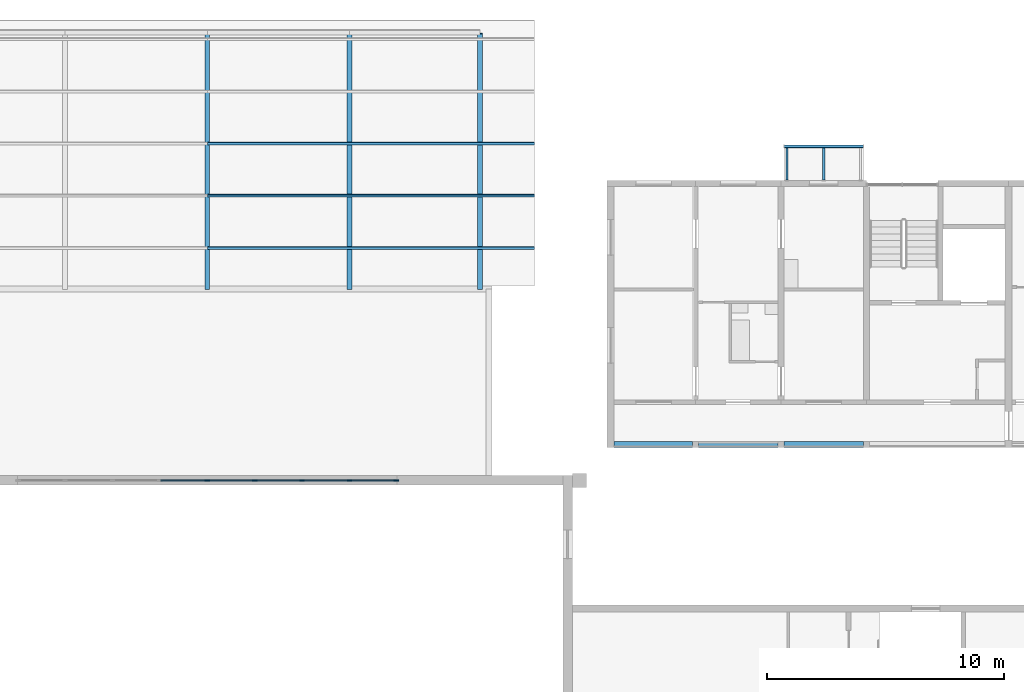
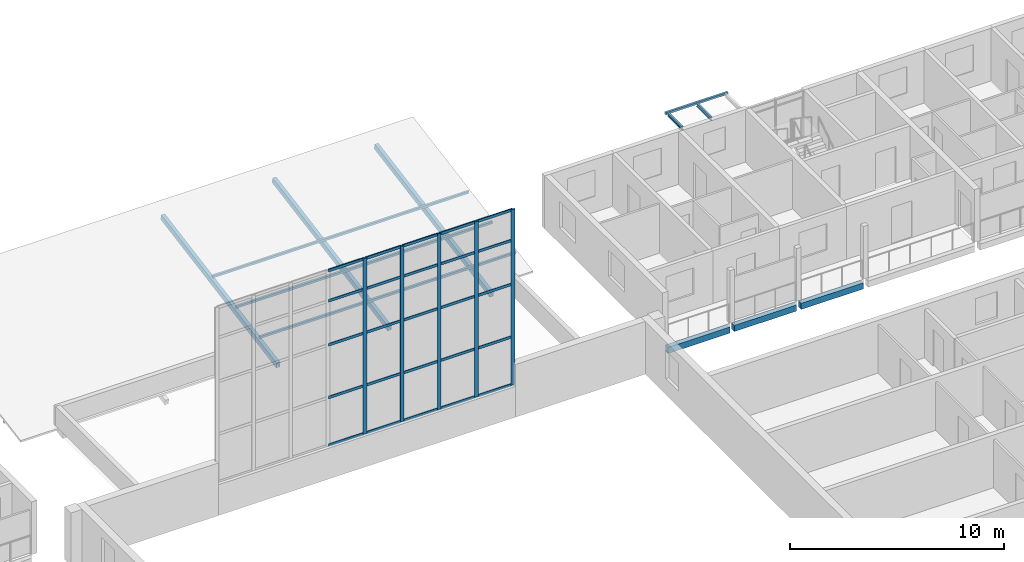
# One storey, part 34 of 122: 33 members, 9 beams, 1 element without a shape of its own.
"""IFC4 building model written with IfcOpenShell, lengths in metres."""

from ifc_helpers import new_model, si_unit, direction, frame, origin, origin_2d, place, context, subcontext, project, spatial, rectangle, hollow_rectangle, i_section, extrude, material, layer, layer_set, material_profile, profile_set, type_object, element, aggregate, save


model = new_model("IFC4")

# Units and contexts
model_context = context("Model", 3, precision=1e-05, world=origin(), true_north=direction((0.0, 1.0)))
body_context = subcontext(model_context, "Body", "Model", "MODEL_VIEW")
ifc_project = project(units=[si_unit("LENGTHUNIT", "METRE"), si_unit("AREAUNIT", "SQUARE_METRE"), si_unit("VOLUMEUNIT", "CUBIC_METRE"), si_unit("PLANEANGLEUNIT", "RADIAN"), si_unit("MASSUNIT", "GRAM", prefix="KILO")], contexts=[model_context])

# Site, building, storey
site_placement = place(None, origin())
site = spatial("IfcSite", under=ifc_project, at=site_placement, CompositionType="ELEMENT")
building_placement = place(site_placement, origin())
building = spatial("IfcBuilding", under=site, at=building_placement, Name="Ridgestep Commons", CompositionType="ELEMENT")
storey_placement = place(building_placement, frame((0.0, 0.0, 3.0)))
storey = spatial("IfcBuildingStorey", under=building, at=storey_placement, Name="L01", CompositionType="ELEMENT", Elevation=3.0)

# Beams
ifc_material_1 = material(Name="Structural steel S355JR", Category="steel")
ifc_material_profile_1 = material_profile(ifc_material_1, hollow_rectangle(XDim=0.199951171875, YDim=0.300048828125, WallThickness=0.010009765625, at=origin_2d()), Name="RHS 300x200x10")
ifc_profile_set_1 = profile_set([ifc_material_profile_1], Name="Structural steel S355JR")
beam_type_1 = type_object("IfcBeamType", Name="Canopy beam RHS 300 x 200 x 10", PredefinedType="BEAM", material=ifc_profile_set_1)
for number, where, z_axis, x_axis, name in (
    (1, (129.800048828125, 72.672607421875, 0.75244140625), (0.0, 0.98442302805, 0.175816102349), (-1.0, 0.0, 0.0), "Canopy main beam"),
    (2, (135.800048828125, 72.672607421875, 0.75244140625), (0.0, 0.98442302805, 0.175816102349), (-1.0, 0.0, 0.0), "Canopy main beam"),
    (3, (141.300048828125, 72.672607421875, 0.75244140625), (0.0, 0.98442302805, 0.175816102349), (-1.0, 0.0, 0.0), "Canopy main beam"),
):
    element("IfcBeam", number, at=place(storey_placement, frame(where, z_axis=z_axis, x_axis=x_axis)), inside=storey, type_object=beam_type_1, Name=name, PredefinedType="BEAM", context=body_context, shape_type="SweptSolid", body=[
        extrude(hollow_rectangle(XDim=0.199951171875, YDim=0.300048828125, WallThickness=0.010009765625, at=origin_2d()), origin(), (0.0, 0.0, 1.0), 10.95068359375),
    ])

# Members
ifc_material_2 = material(Name="Structural steel S355JR", Category="steel")
ifc_material_profile_2 = material_profile(ifc_material_2, hollow_rectangle(XDim=0.10009765625, YDim=0.14990234375, WallThickness=0.006103515625, at=origin_2d()), Name="RHS 150x100x6")
ifc_profile_set_2 = profile_set([ifc_material_profile_2], Name="Structural steel S355JR")
member_type_1 = type_object("IfcMemberType", Name="Canopy purlin RHS 150 x 100 x 6", PredefinedType="PURLIN", material=ifc_profile_set_2)
for number, where, z_axis, x_axis, name in (
    (4, (129.800048828125, 74.4130859375, 1.2919921875), (1.0, 0.0, 0.0), (0.0, 0.984422707775, 0.175817895609), "Canopy purlin"),
    (5, (129.800048828125, 76.61328125, 1.684814453125), (1.0, 0.0, 0.0), (0.0, 0.984422707775, 0.175817895609), "Canopy purlin"),
    (6, (129.800048828125, 78.813232421875, 2.077880859375), (1.0, 0.0, 0.0), (0.0, 0.984422707775, 0.175817895609), "Canopy purlin"),
):
    element("IfcMember", number, at=place(storey_placement, frame(where, z_axis=z_axis, x_axis=x_axis)), inside=storey, type_object=member_type_1, Name=name, PredefinedType="PURLIN", context=body_context, shape_type="SweptSolid", body=[
        extrude(hollow_rectangle(XDim=0.10009765625, YDim=0.14990234375, WallThickness=0.006103515625, at=origin_2d()), origin(), (0.0, 0.0, 1.0), 13.800048828125),
    ])

# Curtain wall, members
ifc_material_3 = material(Name="Aluminium and glass", Category="aluminium")
ifc_layer = layer(ifc_material_3, 0.199951171875)
ifc_layer_set = layer_set([ifc_layer], Name="Hall gable curtain wall")
curtain_wall_type = type_object("IfcCurtainWallType", Name="Hall gable curtain wall", PredefinedType="NOTDEFINED", material=ifc_layer_set)
curtain_wall_placement = place(storey_placement, origin())
curtain_wall = element("IfcCurtainWall", 7, at=curtain_wall_placement, inside=storey, type_object=curtain_wall_type, Name="Hall gable curtain wall", PredefinedType="NOTDEFINED")
ifc_material_4 = material(Name="Aluminium", Category="aluminium")
ifc_material_profile_3 = material_profile(ifc_material_4, rectangle(XDim=0.06005859375, YDim=0.199951171875, at=origin_2d()), Name="Hall mullion 60 x 200")
ifc_profile_set_3 = profile_set([ifc_material_profile_3], Name="Aluminium")
member_type_2 = type_object("IfcMemberType", Name="Hall mullion 60 x 200", PredefinedType="MULLION", material=ifc_profile_set_3)
member_1_placement = place(storey_placement, frame((129.800048828125, 64.60009765625, 1.75), z_axis=(0.0, 0.0, 1.0), x_axis=(0.0, 1.0, 0.0)))
member_1 = element("IfcMember", 8, at=member_1_placement, type_object=member_type_2, Name="CW4 mullion 5", PredefinedType="MULLION", context=body_context, shape_type="SweptSolid", body=[
    extrude(rectangle(XDim=0.06005859375, YDim=0.199951171875, at=origin_2d()), origin(), (0.0, 0.0, 1.0), 10.0),
])
member_2_placement = place(storey_placement, frame((131.800048828125, 64.60009765625, 1.75), z_axis=(0.0, 0.0, 1.0), x_axis=(0.0, 1.0, 0.0)))
member_2 = element("IfcMember", 9, at=member_2_placement, type_object=member_type_2, Name="CW4 mullion 6", PredefinedType="MULLION", context=body_context, shape_type="SweptSolid", body=[
    extrude(rectangle(XDim=0.06005859375, YDim=0.199951171875, at=origin_2d()), origin(), (0.0, 0.0, 1.0), 10.0),
])
member_3_placement = place(storey_placement, frame((133.800048828125, 64.60009765625, 1.75), z_axis=(0.0, 0.0, 1.0), x_axis=(0.0, 1.0, 0.0)))
member_3 = element("IfcMember", 10, at=member_3_placement, type_object=member_type_2, Name="CW4 mullion 7", PredefinedType="MULLION", context=body_context, shape_type="SweptSolid", body=[
    extrude(rectangle(XDim=0.06005859375, YDim=0.199951171875, at=origin_2d()), origin(), (0.0, 0.0, 1.0), 10.0),
])
member_4_placement = place(storey_placement, frame((135.800048828125, 64.60009765625, 1.75), z_axis=(0.0, 0.0, 1.0), x_axis=(0.0, 1.0, 0.0)))
member_4 = element("IfcMember", 11, at=member_4_placement, type_object=member_type_2, Name="CW4 mullion 8", PredefinedType="MULLION", context=body_context, shape_type="SweptSolid", body=[
    extrude(rectangle(XDim=0.06005859375, YDim=0.199951171875, at=origin_2d()), origin(), (0.0, 0.0, 1.0), 10.0),
])
member_5_placement = place(storey_placement, frame((137.77001953125, 64.60009765625, 1.75), z_axis=(0.0, 0.0, 1.0), x_axis=(0.0, 1.0, 0.0)))
member_5 = element("IfcMember", 12, at=member_5_placement, type_object=member_type_2, Name="CW4 mullion 9", PredefinedType="MULLION", context=body_context, shape_type="SweptSolid", body=[
    extrude(rectangle(XDim=0.06005859375, YDim=0.199951171875, at=origin_2d()), origin(), (0.0, 0.0, 1.0), 10.0),
])
ifc_material_5 = material(Name="Aluminium", Category="aluminium")
ifc_material_profile_4 = material_profile(ifc_material_5, rectangle(XDim=0.06005859375, YDim=0.14990234375, at=origin_2d()), Name="Hall transom 60 x 150")
ifc_profile_set_4 = profile_set([ifc_material_profile_4], Name="Aluminium")
member_type_3 = type_object("IfcMemberType", Name="Hall transom 60 x 150", PredefinedType="USERDEFINED", material=ifc_profile_set_4)
member_6_placement = place(storey_placement, frame((127.830078125, 64.60009765625, 1.780029296875), z_axis=(1.0, 0.0, 0.0), x_axis=(0.0, 1.0, 0.0)))
member_6 = element("IfcMember", 13, at=member_6_placement, type_object=member_type_3, Name="CW4 transom 4.1", ObjectType="TRANSOM", PredefinedType="USERDEFINED", context=body_context, shape_type="SweptSolid", body=[
    extrude(rectangle(XDim=0.06005859375, YDim=0.14990234375, at=origin_2d()), origin(), (0.0, 0.0, 1.0), 1.93994140625),
])
member_7_placement = place(storey_placement, frame((127.830078125, 64.60009765625, 4.5), z_axis=(1.0, 0.0, 0.0), x_axis=(0.0, 1.0, 0.0)))
member_7 = element("IfcMember", 14, at=member_7_placement, type_object=member_type_3, Name="CW4 transom 4.2", ObjectType="TRANSOM", PredefinedType="USERDEFINED", context=body_context, shape_type="SweptSolid", body=[
    extrude(rectangle(XDim=0.06005859375, YDim=0.14990234375, at=origin_2d()), origin(), (0.0, 0.0, 1.0), 1.93994140625),
])
member_8_placement = place(storey_placement, frame((127.830078125, 64.60009765625, 7.5), z_axis=(1.0, 0.0, 0.0), x_axis=(0.0, 1.0, 0.0)))
member_8 = element("IfcMember", 15, at=member_8_placement, type_object=member_type_3, Name="CW4 transom 4.3", ObjectType="TRANSOM", PredefinedType="USERDEFINED", context=body_context, shape_type="SweptSolid", body=[
    extrude(rectangle(XDim=0.06005859375, YDim=0.14990234375, at=origin_2d()), origin(), (0.0, 0.0, 1.0), 1.93994140625),
])
member_9_placement = place(storey_placement, frame((127.830078125, 64.60009765625, 10.0), z_axis=(1.0, 0.0, 0.0), x_axis=(0.0, 1.0, 0.0)))
member_9 = element("IfcMember", 16, at=member_9_placement, type_object=member_type_3, Name="CW4 transom 4.4", ObjectType="TRANSOM", PredefinedType="USERDEFINED", context=body_context, shape_type="SweptSolid", body=[
    extrude(rectangle(XDim=0.06005859375, YDim=0.14990234375, at=origin_2d()), origin(), (0.0, 0.0, 1.0), 1.93994140625),
])
member_10_placement = place(storey_placement, frame((127.830078125, 64.60009765625, 11.719970703125), z_axis=(1.0, 0.0, 0.0), x_axis=(0.0, 1.0, 0.0)))
member_10 = element("IfcMember", 17, at=member_10_placement, type_object=member_type_3, Name="CW4 transom 4.5", ObjectType="TRANSOM", PredefinedType="USERDEFINED", context=body_context, shape_type="SweptSolid", body=[
    extrude(rectangle(XDim=0.06005859375, YDim=0.14990234375, at=origin_2d()), origin(), (0.0, 0.0, 1.0), 1.93994140625),
])
member_11_placement = place(storey_placement, frame((129.830078125, 64.60009765625, 1.780029296875), z_axis=(1.0, 0.0, 0.0), x_axis=(0.0, 1.0, 0.0)))
member_11 = element("IfcMember", 18, at=member_11_placement, type_object=member_type_3, Name="CW4 transom 5.1", ObjectType="TRANSOM", PredefinedType="USERDEFINED", context=body_context, shape_type="SweptSolid", body=[
    extrude(rectangle(XDim=0.06005859375, YDim=0.14990234375, at=origin_2d()), origin(), (0.0, 0.0, 1.0), 1.93994140625),
])
member_12_placement = place(storey_placement, frame((129.830078125, 64.60009765625, 4.5), z_axis=(1.0, 0.0, 0.0), x_axis=(0.0, 1.0, 0.0)))
member_12 = element("IfcMember", 19, at=member_12_placement, type_object=member_type_3, Name="CW4 transom 5.2", ObjectType="TRANSOM", PredefinedType="USERDEFINED", context=body_context, shape_type="SweptSolid", body=[
    extrude(rectangle(XDim=0.06005859375, YDim=0.14990234375, at=origin_2d()), origin(), (0.0, 0.0, 1.0), 1.93994140625),
])
member_13_placement = place(storey_placement, frame((129.830078125, 64.60009765625, 7.5), z_axis=(1.0, 0.0, 0.0), x_axis=(0.0, 1.0, 0.0)))
member_13 = element("IfcMember", 20, at=member_13_placement, type_object=member_type_3, Name="CW4 transom 5.3", ObjectType="TRANSOM", PredefinedType="USERDEFINED", context=body_context, shape_type="SweptSolid", body=[
    extrude(rectangle(XDim=0.06005859375, YDim=0.14990234375, at=origin_2d()), origin(), (0.0, 0.0, 1.0), 1.93994140625),
])
member_14_placement = place(storey_placement, frame((129.830078125, 64.60009765625, 10.0), z_axis=(1.0, 0.0, 0.0), x_axis=(0.0, 1.0, 0.0)))
member_14 = element("IfcMember", 21, at=member_14_placement, type_object=member_type_3, Name="CW4 transom 5.4", ObjectType="TRANSOM", PredefinedType="USERDEFINED", context=body_context, shape_type="SweptSolid", body=[
    extrude(rectangle(XDim=0.06005859375, YDim=0.14990234375, at=origin_2d()), origin(), (0.0, 0.0, 1.0), 1.93994140625),
])
member_15_placement = place(storey_placement, frame((129.830078125, 64.60009765625, 11.719970703125), z_axis=(1.0, 0.0, 0.0), x_axis=(0.0, 1.0, 0.0)))
member_15 = element("IfcMember", 22, at=member_15_placement, type_object=member_type_3, Name="CW4 transom 5.5", ObjectType="TRANSOM", PredefinedType="USERDEFINED", context=body_context, shape_type="SweptSolid", body=[
    extrude(rectangle(XDim=0.06005859375, YDim=0.14990234375, at=origin_2d()), origin(), (0.0, 0.0, 1.0), 1.93994140625),
])
member_16_placement = place(storey_placement, frame((131.830078125, 64.60009765625, 1.780029296875), z_axis=(1.0, 0.0, 0.0), x_axis=(0.0, 1.0, 0.0)))
member_16 = element("IfcMember", 23, at=member_16_placement, type_object=member_type_3, Name="CW4 transom 6.1", ObjectType="TRANSOM", PredefinedType="USERDEFINED", context=body_context, shape_type="SweptSolid", body=[
    extrude(rectangle(XDim=0.06005859375, YDim=0.14990234375, at=origin_2d()), origin(), (0.0, 0.0, 1.0), 1.93994140625),
])
member_17_placement = place(storey_placement, frame((131.830078125, 64.60009765625, 4.5), z_axis=(1.0, 0.0, 0.0), x_axis=(0.0, 1.0, 0.0)))
member_17 = element("IfcMember", 24, at=member_17_placement, type_object=member_type_3, Name="CW4 transom 6.2", ObjectType="TRANSOM", PredefinedType="USERDEFINED", context=body_context, shape_type="SweptSolid", body=[
    extrude(rectangle(XDim=0.06005859375, YDim=0.14990234375, at=origin_2d()), origin(), (0.0, 0.0, 1.0), 1.93994140625),
])
member_18_placement = place(storey_placement, frame((131.830078125, 64.60009765625, 7.5), z_axis=(1.0, 0.0, 0.0), x_axis=(0.0, 1.0, 0.0)))
member_18 = element("IfcMember", 25, at=member_18_placement, type_object=member_type_3, Name="CW4 transom 6.3", ObjectType="TRANSOM", PredefinedType="USERDEFINED", context=body_context, shape_type="SweptSolid", body=[
    extrude(rectangle(XDim=0.06005859375, YDim=0.14990234375, at=origin_2d()), origin(), (0.0, 0.0, 1.0), 1.93994140625),
])
member_19_placement = place(storey_placement, frame((131.830078125, 64.60009765625, 10.0), z_axis=(1.0, 0.0, 0.0), x_axis=(0.0, 1.0, 0.0)))
member_19 = element("IfcMember", 26, at=member_19_placement, type_object=member_type_3, Name="CW4 transom 6.4", ObjectType="TRANSOM", PredefinedType="USERDEFINED", context=body_context, shape_type="SweptSolid", body=[
    extrude(rectangle(XDim=0.06005859375, YDim=0.14990234375, at=origin_2d()), origin(), (0.0, 0.0, 1.0), 1.93994140625),
])
member_20_placement = place(storey_placement, frame((131.830078125, 64.60009765625, 11.719970703125), z_axis=(1.0, 0.0, 0.0), x_axis=(0.0, 1.0, 0.0)))
member_20 = element("IfcMember", 27, at=member_20_placement, type_object=member_type_3, Name="CW4 transom 6.5", ObjectType="TRANSOM", PredefinedType="USERDEFINED", context=body_context, shape_type="SweptSolid", body=[
    extrude(rectangle(XDim=0.06005859375, YDim=0.14990234375, at=origin_2d()), origin(), (0.0, 0.0, 1.0), 1.93994140625),
])
member_21_placement = place(storey_placement, frame((133.830078125, 64.60009765625, 1.780029296875), z_axis=(1.0, 0.0, 0.0), x_axis=(0.0, 1.0, 0.0)))
member_21 = element("IfcMember", 28, at=member_21_placement, type_object=member_type_3, Name="CW4 transom 7.1", ObjectType="TRANSOM", PredefinedType="USERDEFINED", context=body_context, shape_type="SweptSolid", body=[
    extrude(rectangle(XDim=0.06005859375, YDim=0.14990234375, at=origin_2d()), origin(), (0.0, 0.0, 1.0), 1.93994140625),
])
member_22_placement = place(storey_placement, frame((133.830078125, 64.60009765625, 4.5), z_axis=(1.0, 0.0, 0.0), x_axis=(0.0, 1.0, 0.0)))
member_22 = element("IfcMember", 29, at=member_22_placement, type_object=member_type_3, Name="CW4 transom 7.2", ObjectType="TRANSOM", PredefinedType="USERDEFINED", context=body_context, shape_type="SweptSolid", body=[
    extrude(rectangle(XDim=0.06005859375, YDim=0.14990234375, at=origin_2d()), origin(), (0.0, 0.0, 1.0), 1.93994140625),
])
member_23_placement = place(storey_placement, frame((133.830078125, 64.60009765625, 7.5), z_axis=(1.0, 0.0, 0.0), x_axis=(0.0, 1.0, 0.0)))
member_23 = element("IfcMember", 30, at=member_23_placement, type_object=member_type_3, Name="CW4 transom 7.3", ObjectType="TRANSOM", PredefinedType="USERDEFINED", context=body_context, shape_type="SweptSolid", body=[
    extrude(rectangle(XDim=0.06005859375, YDim=0.14990234375, at=origin_2d()), origin(), (0.0, 0.0, 1.0), 1.93994140625),
])
member_24_placement = place(storey_placement, frame((133.830078125, 64.60009765625, 10.0), z_axis=(1.0, 0.0, 0.0), x_axis=(0.0, 1.0, 0.0)))
member_24 = element("IfcMember", 31, at=member_24_placement, type_object=member_type_3, Name="CW4 transom 7.4", ObjectType="TRANSOM", PredefinedType="USERDEFINED", context=body_context, shape_type="SweptSolid", body=[
    extrude(rectangle(XDim=0.06005859375, YDim=0.14990234375, at=origin_2d()), origin(), (0.0, 0.0, 1.0), 1.93994140625),
])
member_25_placement = place(storey_placement, frame((133.830078125, 64.60009765625, 11.719970703125), z_axis=(1.0, 0.0, 0.0), x_axis=(0.0, 1.0, 0.0)))
member_25 = element("IfcMember", 32, at=member_25_placement, type_object=member_type_3, Name="CW4 transom 7.5", ObjectType="TRANSOM", PredefinedType="USERDEFINED", context=body_context, shape_type="SweptSolid", body=[
    extrude(rectangle(XDim=0.06005859375, YDim=0.14990234375, at=origin_2d()), origin(), (0.0, 0.0, 1.0), 1.93994140625),
])
member_26_placement = place(storey_placement, frame((135.830078125, 64.60009765625, 1.780029296875), z_axis=(1.0, 0.0, 0.0), x_axis=(0.0, 1.0, 0.0)))
member_26 = element("IfcMember", 33, at=member_26_placement, type_object=member_type_3, Name="CW4 transom 8.1", ObjectType="TRANSOM", PredefinedType="USERDEFINED", context=body_context, shape_type="SweptSolid", body=[
    extrude(rectangle(XDim=0.06005859375, YDim=0.14990234375, at=origin_2d()), origin(), (0.0, 0.0, 1.0), 1.909912109375),
])
member_27_placement = place(storey_placement, frame((135.830078125, 64.60009765625, 4.5), z_axis=(1.0, 0.0, 0.0), x_axis=(0.0, 1.0, 0.0)))
member_27 = element("IfcMember", 34, at=member_27_placement, type_object=member_type_3, Name="CW4 transom 8.2", ObjectType="TRANSOM", PredefinedType="USERDEFINED", context=body_context, shape_type="SweptSolid", body=[
    extrude(rectangle(XDim=0.06005859375, YDim=0.14990234375, at=origin_2d()), origin(), (0.0, 0.0, 1.0), 1.909912109375),
])
member_28_placement = place(storey_placement, frame((135.830078125, 64.60009765625, 7.5), z_axis=(1.0, 0.0, 0.0), x_axis=(0.0, 1.0, 0.0)))
member_28 = element("IfcMember", 35, at=member_28_placement, type_object=member_type_3, Name="CW4 transom 8.3", ObjectType="TRANSOM", PredefinedType="USERDEFINED", context=body_context, shape_type="SweptSolid", body=[
    extrude(rectangle(XDim=0.06005859375, YDim=0.14990234375, at=origin_2d()), origin(), (0.0, 0.0, 1.0), 1.909912109375),
])
member_29_placement = place(storey_placement, frame((135.830078125, 64.60009765625, 10.0), z_axis=(1.0, 0.0, 0.0), x_axis=(0.0, 1.0, 0.0)))
member_29 = element("IfcMember", 36, at=member_29_placement, type_object=member_type_3, Name="CW4 transom 8.4", ObjectType="TRANSOM", PredefinedType="USERDEFINED", context=body_context, shape_type="SweptSolid", body=[
    extrude(rectangle(XDim=0.06005859375, YDim=0.14990234375, at=origin_2d()), origin(), (0.0, 0.0, 1.0), 1.909912109375),
])
member_30_placement = place(storey_placement, frame((135.830078125, 64.60009765625, 11.719970703125), z_axis=(1.0, 0.0, 0.0), x_axis=(0.0, 1.0, 0.0)))
member_30 = element("IfcMember", 37, at=member_30_placement, type_object=member_type_3, Name="CW4 transom 8.5", ObjectType="TRANSOM", PredefinedType="USERDEFINED", context=body_context, shape_type="SweptSolid", body=[
    extrude(rectangle(XDim=0.06005859375, YDim=0.14990234375, at=origin_2d()), origin(), (0.0, 0.0, 1.0), 1.909912109375),
])
aggregate(curtain_wall, [member_1, member_2, member_3, member_4, member_5, member_6, member_7, member_8, member_9, member_10, member_11, member_12, member_13, member_14, member_15, member_16, member_17, member_18, member_19, member_20, member_21, member_22, member_23, member_24, member_25, member_26, member_27, member_28, member_29, member_30])

# Beams
ifc_material_6 = material(Name="Precast concrete C40/50", Category="concrete")
ifc_material_profile_5 = material_profile(ifc_material_6, rectangle(XDim=0.25, YDim=0.35009765625, at=origin_2d()), Name="PC 250x350")
ifc_profile_set_5 = profile_set([ifc_material_profile_5], Name="Precast concrete C40/50")
beam_type_2 = type_object("IfcBeamType", Name="Loggia edge beam 250 x 350", PredefinedType="SPANDREL", material=ifc_profile_set_5)
beam_1_placement = place(storey_placement, frame((146.949951171875, 66.125, -0.375), z_axis=(1.0, 0.0, 0.0), x_axis=(0.0, 1.0, 0.0)))
element("IfcBeam", 38, at=beam_1_placement, inside=storey, type_object=beam_type_2, Name="Loggia edge beam C1T1 L01", PredefinedType="SPANDREL", context=body_context, shape_type="SweptSolid", body=[
    extrude(rectangle(XDim=0.25, YDim=0.35009765625, at=origin_2d()), origin(), (0.0, 0.0, 1.0), 3.324951171875),
])
for number, where, z_axis, x_axis, name in (
    (39, (150.52490234375, 66.125, -0.375), (1.0, 0.0, 0.0), (0.0, 1.0, 0.0), "Loggia edge beam C1T2 L01"),
    (40, (154.125, 66.125, -0.375), (1.0, 0.0, 0.0), (0.0, 1.0, 0.0), "Loggia edge beam C1T3 L01"),
):
    element("IfcBeam", number, at=place(storey_placement, frame(where, z_axis=z_axis, x_axis=x_axis)), inside=storey, type_object=beam_type_2, Name=name, PredefinedType="SPANDREL", context=body_context, shape_type="SweptSolid", body=[
        extrude(rectangle(XDim=0.25, YDim=0.35009765625, at=origin_2d()), origin(), (0.0, 0.0, 1.0), 3.35009765625),
    ])
ifc_material_7 = material(Name="Weathering steel S355J2W", Category="steel")
ifc_material_profile_6 = material_profile(ifc_material_7, i_section(OverallWidth=0.101806640625, OverallDepth=0.203125, WebThickness=0.00537109375, FlangeThickness=0.00927734375, FilletRadius=0.007568359375, at=origin_2d()), Name="UB 203x102x23")
ifc_profile_set_6 = profile_set([ifc_material_profile_6], Name="Weathering steel S355J2W")
beam_type_3 = type_object("IfcBeamType", Name="Tray arm UB 203x102x23", PredefinedType="BEAM", material=ifc_profile_set_6)
for number, where, z_axis, x_axis, name in (
    (41, (154.25, 77.264892578125, 2.888427734375), (0.0, 1.0, 0.0), (-1.0, 0.0, 0.0), "Tray arm C1T3-02.1"),
    (42, (155.800048828125, 77.264892578125, 2.888427734375), (0.0, 1.0, 0.0), (-1.0, 0.0, 0.0), "Tray arm C1T3-02.2"),
):
    element("IfcBeam", number, at=place(storey_placement, frame(where, z_axis=z_axis, x_axis=x_axis)), inside=storey, type_object=beam_type_3, Name=name, PredefinedType="BEAM", context=body_context, shape_type="SweptSolid", body=[
        extrude(i_section(OverallWidth=0.101806640625, OverallDepth=0.203125, WebThickness=0.00537109375, FlangeThickness=0.00927734375, FilletRadius=0.007568359375, at=origin_2d()), origin(), (0.0, 0.0, 1.0), 1.364990234375),
    ])
ifc_material_8 = material(Name="Weathering steel S355J2W", Category="steel")
ifc_material_profile_7 = material_profile(ifc_material_8, hollow_rectangle(XDim=0.1201171875, YDim=0.1201171875, WallThickness=0.00634765625, InnerFilletRadius=0.00634765625, OuterFilletRadius=0.009521484375, at=origin_2d()), Name="SHS 120x120x6.3")
ifc_profile_set_7 = profile_set([ifc_material_profile_7], Name="Weathering steel S355J2W")
beam_type_4 = type_object("IfcBeamType", Name="Tray edge member SHS 120x120x6.3", PredefinedType="BEAM", material=ifc_profile_set_7)
beam_2_placement = place(storey_placement, frame((154.1298828125, 78.68994140625, 2.929931640625), z_axis=(1.0, 0.0, 0.0), x_axis=(0.0, 0.0, 1.0)))
element("IfcBeam", 43, at=beam_2_placement, inside=storey, type_object=beam_type_4, Name="Tray edge member C1T3-02", PredefinedType="BEAM", context=body_context, shape_type="SweptSolid", body=[
    extrude(hollow_rectangle(XDim=0.1201171875, YDim=0.1201171875, WallThickness=0.00634765625, InnerFilletRadius=0.00634765625, OuterFilletRadius=0.009521484375, at=origin_2d()), origin(), (0.0, 0.0, 1.0), 3.340087890625),
])

save(model, "model.ifc")
